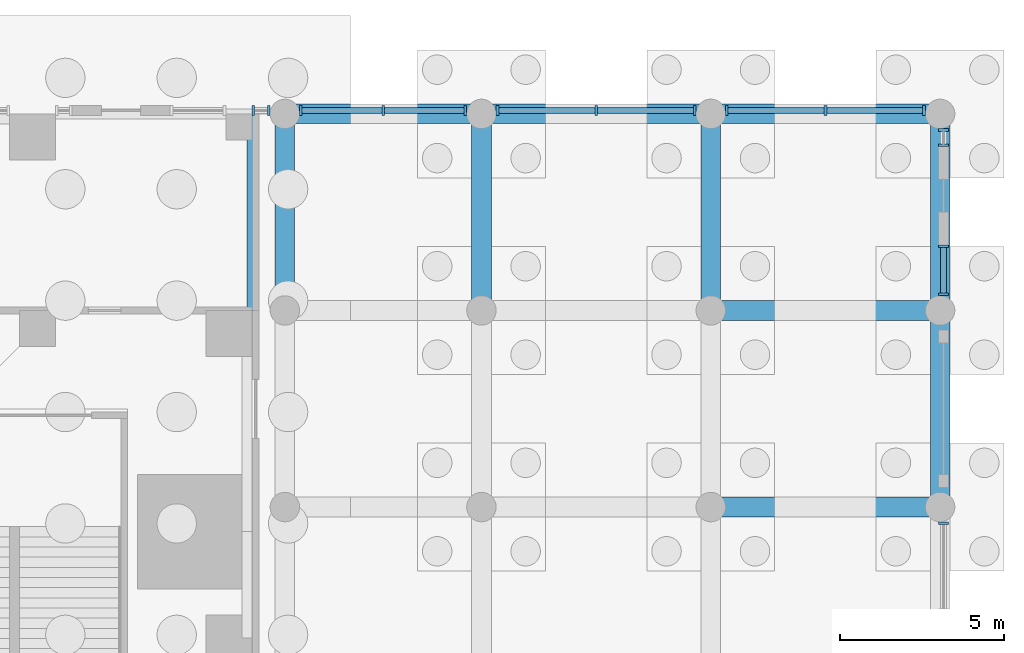
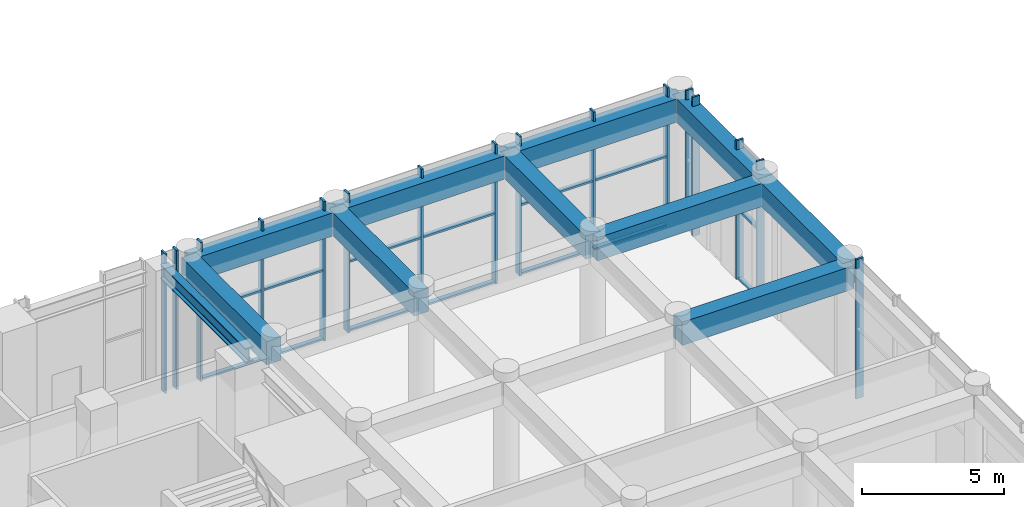
# One storey, part 10 of 46: 30 members, 11 beams, 7 elements without a shape of their own.
"""IFC4 building model written with IfcOpenShell, lengths in metres."""

import ifcopenshell
import ifcopenshell.guid

model = None  # the IFC model being written
_history = None  # IfcOwnerHistory: only IFC2X3 demands one
_inside = {}  # id of a spatial element -> (the spatial element, [elements in it])
_under = {}  # id of a project, library or spatial element -> (it, [spatial elements below it])
_declared = {}  # id of a project -> (the project, [libraries it declares])
_typed = {}  # id of a type object -> (the type object, [elements of that type])
_made_of = {}  # id of a material, layer set ... -> (it, [elements and type objects made of it])


def new_model(schema):
    """Start an empty IFC model of exactly this schema.

    Asked for "IFC4X3", IfcOpenShell would pick the latest addendum, in which some entities
    have other attributes; the version numbers below select the first issue.
    IFC2X3 requires an IfcOwnerHistory on every rooted entity: one is made here for all.
    """
    global model, _history
    if schema == "IFC4X3":
        model = ifcopenshell.file(schema_version=(4, 3, 0, 0))
    else:
        model = ifcopenshell.file(schema=schema)
    _inside.clear()
    _under.clear()
    _declared.clear()
    _typed.clear()
    _made_of.clear()
    _history = None
    if model.schema == "IFC2X3":
        org = make("IfcOrganization", Name="unknown")
        user = make(
            "IfcPersonAndOrganization",
            ThePerson=make("IfcPerson", FamilyName="unknown"),
            TheOrganization=org,
        )
        app = make(
            "IfcApplication",
            ApplicationDeveloper=org,
            Version="unknown",
            ApplicationFullName="unknown",
            ApplicationIdentifier="unknown",
        )
        _history = make(
            "IfcOwnerHistory",
            OwningUser=user,
            OwningApplication=app,
            ChangeAction="ADDED",
            CreationDate=0,
        )
    return model


def make(cls, **values):
    """One entity of the class cls with the attributes given. An attribute that is None is left unset."""
    return model.create_entity(
        cls, **{name: value for name, value in values.items() if value is not None}
    )


def rooted(cls, **values):
    """An entity with a GlobalId (a new one), such as an element, a storey or a relation."""
    return make(cls, GlobalId=ifcopenshell.guid.new(), OwnerHistory=_history, **values)


def si_unit(unit_type, name, prefix=None):
    """IfcSIUnit, for example si_unit("LENGTHUNIT", "METRE", prefix="MILLI")."""
    return make("IfcSIUnit", UnitType=unit_type, Prefix=prefix, Name=name)


def assignment(units):
    """IfcUnitAssignment: the units of a project."""
    return None if units is None else make("IfcUnitAssignment", Units=units)


def point(xyz):
    """IfcCartesianPoint."""
    return None if xyz is None else make("IfcCartesianPoint", Coordinates=xyz)


def direction(xyz):
    """IfcDirection."""
    return None if xyz is None else make("IfcDirection", DirectionRatios=xyz)


def frame(location, z_axis=None, x_axis=None):
    """IfcAxis2Placement3D, a coordinate frame: its origin and axes. An axis left out is left unset."""
    return make(
        "IfcAxis2Placement3D",
        Location=point(location),
        Axis=direction(z_axis),
        RefDirection=direction(x_axis),
    )


def frame_2d(location, x_axis=None):
    """IfcAxis2Placement2D, a coordinate frame in the plane: its origin and x axis."""
    return make(
        "IfcAxis2Placement2D", Location=point(location), RefDirection=direction(x_axis)
    )


def origin():
    """The frame at (0, 0, 0) with its axes left unset."""
    return frame((0.0, 0.0, 0.0))


def origin_2d():
    """The frame at (0, 0) in the plane with its x axis left unset."""
    return frame_2d((0.0, 0.0))


def place(relative_to, where):
    """IfcLocalPlacement: puts the frame where relative to a parent placement (None: the world)."""
    return make(
        "IfcLocalPlacement", PlacementRelTo=relative_to, RelativePlacement=where
    )


def context(
    kind, dimensions, precision=None, world=None, true_north=None, identifier=None
):
    """IfcGeometricRepresentationContext, for example the 3D "Model" context."""
    return make(
        "IfcGeometricRepresentationContext",
        ContextIdentifier=identifier,
        ContextType=kind,
        CoordinateSpaceDimension=dimensions,
        Precision=precision,
        WorldCoordinateSystem=world,
        TrueNorth=true_north,
    )


def subcontext(parent, identifier, kind, view, scale=None):
    """IfcGeometricRepresentationSubContext, for example "Body" below "Model"."""
    return make(
        "IfcGeometricRepresentationSubContext",
        ContextIdentifier=identifier,
        ContextType=kind,
        ParentContext=parent,
        TargetScale=scale,
        TargetView=view,
    )


def project(units=None, contexts=None):
    """IfcProject with its units and contexts."""
    return rooted(
        "IfcProject",
        Name="project",
        RepresentationContexts=contexts,
        UnitsInContext=assignment(units),
    )


def spatial(cls, under=None, at=None, **own):
    """A site, building, storey or space (cls), placed at a placement, below another one or the project."""
    s = rooted(cls, ObjectPlacement=at, **own)
    if under is not None:
        _under.setdefault(under.id(), (under, []))[1].append(s)
    return s


def profile(cls, at=None, kind="AREA", **sizes):
    """A parametric profile (cls). Its sizes go by their IFC names, for example OverallWidth=200.0."""
    return make(cls, ProfileType=kind, Position=at, **sizes)


def rectangle(**sizes):
    """IfcRectangleProfileDef."""
    return profile("IfcRectangleProfileDef", **sizes)


def i_section(**sizes):
    """IfcIShapeProfileDef."""
    return profile("IfcIShapeProfileDef", **sizes)


def extrude(swept, where, along, depth):
    """IfcExtrudedAreaSolid: the profile swept, set in the frame where, extruded along a direction by depth."""
    return make(
        "IfcExtrudedAreaSolid",
        SweptArea=swept,
        Position=where,
        ExtrudedDirection=direction(along),
        Depth=depth,
    )


def shape(context_of_items, identifier, shape_type, items):
    """IfcShapeRepresentation: the items that make up one representation, for example the "Body"."""
    return make(
        "IfcShapeRepresentation",
        ContextOfItems=context_of_items,
        RepresentationIdentifier=identifier,
        RepresentationType=shape_type,
        Items=items,
    )


def material(Name=None, Category=None):
    """IfcMaterial."""
    return make("IfcMaterial", Name=Name, Category=Category)


def material_profile(
    of_material, cross_section, Name=None, Category=None, Priority=None
):
    """IfcMaterialProfile: a cross section and its material."""
    return make(
        "IfcMaterialProfile",
        Name=Name,
        Material=of_material,
        Profile=cross_section,
        Priority=Priority,
        Category=Category,
    )


def profile_set(profiles, Name=None, composite=None):
    """IfcMaterialProfileSet."""
    return make(
        "IfcMaterialProfileSet",
        Name=Name,
        MaterialProfiles=profiles,
        CompositeProfile=composite,
    )


def made_of(thing, what):
    """Note that an element or type object is made of a material, layer set ...; save() writes the relation."""
    if what is not None:
        _made_of.setdefault(what.id(), (what, []))[1].append(thing)
    return thing


def type_object(cls, material=None, **own):
    """A type object (cls), such as IfcWallType, which elements share."""
    return made_of(rooted(cls, **own), material)


def element(
    cls,
    number,
    at=None,
    inside=None,
    cuts=None,
    type_object=None,
    material=None,
    context=None,
    identifier="Body",
    shape_type=None,
    held_by="IfcProductDefinitionShape",
    body=None,
    shapes=None,
    **own,
):
    """One element of the class cls, such as IfcWall. Its Tag is "e" and its number.

    at: its placement. inside: the storey or other place that contains it. cuts: it is an
    opening in that element (IfcRelVoidsElement). A single representation is given by context,
    identifier, shape_type and body (its items); several are given by shapes. held_by: the class
    of the entity that holds the representations. save() writes the other relations.
    """
    e = rooted(cls, Tag="e%d" % number, ObjectPlacement=at, **own)
    if body is not None:
        shapes = [shape(context, identifier, shape_type, body)]
    if shapes is not None:
        e.Representation = make(held_by, Representations=shapes)
    if inside is not None:
        _inside.setdefault(inside.id(), (inside, []))[1].append(e)
    if cuts is not None:
        rooted(
            "IfcRelVoidsElement", RelatingBuildingElement=cuts, RelatedOpeningElement=e
        )
    if type_object is not None:
        _typed.setdefault(type_object.id(), (type_object, []))[1].append(e)
    return made_of(e, material)


def aggregate(whole, parts):
    """IfcRelAggregates: a whole, such as a stair, and the parts it consists of."""
    return rooted("IfcRelAggregates", RelatingObject=whole, RelatedObjects=parts)


def save(model, path):
    """Write the relations noted so far, then the file.

    IfcRelAggregates (storeys below a building ...), IfcRelContainedInSpatialStructure (elements
    in a storey), IfcRelDefinesByType, IfcRelAssociatesMaterial and IfcRelDeclares: one each for
    every whole, place, type object, material and project.
    """
    for whole, parts in _under.values():
        aggregate(whole, parts)
    for where, things in _inside.values():
        rooted(
            "IfcRelContainedInSpatialStructure",
            RelatedElements=things,
            RelatingStructure=where,
        )
    for kind, things in _typed.values():
        rooted("IfcRelDefinesByType", RelatedObjects=things, RelatingType=kind)
    for what, things in _made_of.values():
        rooted("IfcRelAssociatesMaterial", RelatedObjects=things, RelatingMaterial=what)
    for by, libraries in _declared.values():
        rooted("IfcRelDeclares", RelatingContext=by, RelatedDefinitions=libraries)
    model.write(path)


model = new_model("IFC4")

# Units and contexts
model_context = context("Model", 3, precision=1e-05, world=origin(), true_north=direction((0.0, 1.0)))
body_context = subcontext(model_context, "Body", "Model", "MODEL_VIEW")
ifc_project = project(units=[si_unit("LENGTHUNIT", "METRE"), si_unit("AREAUNIT", "SQUARE_METRE"), si_unit("VOLUMEUNIT", "CUBIC_METRE"), si_unit("PLANEANGLEUNIT", "RADIAN"), si_unit("MASSUNIT", "GRAM", prefix="KILO")], contexts=[model_context])

# Site, building, storey
site_placement = place(None, origin())
site = spatial("IfcSite", under=ifc_project, at=site_placement, CompositionType="ELEMENT")
building_placement = place(site_placement, origin())
building = spatial("IfcBuilding", under=site, at=building_placement, Name="Svetlomir Tower", CompositionType="ELEMENT")
storey_placement = place(building_placement, origin())
storey = spatial("IfcBuildingStorey", under=building, at=storey_placement, Name="L00", CompositionType="ELEMENT", Elevation=0.0)

# Curtain wall, member
ifc_material_1 = material(Name="Bronze anodised aluminium curtain wall", Category="aluminium")
curtain_wall_type = type_object("IfcCurtainWallType", Name="CURTAIN WALL CW5 PODIUM", PredefinedType="NOTDEFINED", material=ifc_material_1)
curtain_wall_1_placement = place(storey_placement, origin())
curtain_wall_1 = element("IfcCurtainWall", 1, at=curtain_wall_1_placement, inside=storey, type_object=curtain_wall_type, Name="Curtain wall CW5 L00", PredefinedType="NOTDEFINED")
ifc_material_2 = material(Name="Bronze anodised aluminium", Category="aluminium")
ifc_material_profile_1 = material_profile(ifc_material_2, rectangle(XDim=0.080078125, YDim=0.300048828125, at=origin_2d()), Name="AL 80x300")
ifc_profile_set_1 = profile_set([ifc_material_profile_1], Name="Bronze anodised aluminium 6063-T6")
member_type_1 = type_object("IfcMemberType", Name="CW5 MULLION 80x300", PredefinedType="MULLION", material=ifc_profile_set_1)
member_1_placement = place(storey_placement, frame((63.10009765625, 29.510009765625, 0.0), z_axis=(0.0, 0.0, 1.0), x_axis=(0.0, 1.0, 0.0)))
member_1 = element("IfcMember", 2, at=member_1_placement, type_object=member_type_1, Name="CW5 mullion 4", PredefinedType="MULLION", context=body_context, shape_type="SweptSolid", body=[
    extrude(rectangle(XDim=0.080078125, YDim=0.300048828125, at=origin_2d()), origin(), (0.0, 0.0, 1.0), 6.0),
])
aggregate(curtain_wall_1, [member_1])

# Curtain wall, members
curtain_wall_2_placement = place(storey_placement, origin())
curtain_wall_2 = element("IfcCurtainWall", 3, at=curtain_wall_2_placement, inside=storey, type_object=curtain_wall_type, Name="Curtain wall CW5 L00", PredefinedType="NOTDEFINED")
member_2_placement = place(storey_placement, frame((63.10009765625, 36.489990234375, 0.0), z_axis=(0.0, 0.0, 1.0), x_axis=(0.0, 1.0, 0.0)))
member_2 = element("IfcMember", 4, at=member_2_placement, type_object=member_type_1, Name="CW5 mullion 1", PredefinedType="MULLION", context=body_context, shape_type="SweptSolid", body=[
    extrude(rectangle(XDim=0.080078125, YDim=0.300048828125, at=origin_2d()), origin(), (0.0, 0.0, 1.0), 6.0),
])
member_3_placement = place(storey_placement, frame((63.10009765625, 37.9599609375, 0.0), z_axis=(0.0, 0.0, 1.0), x_axis=(0.0, 1.0, 0.0)))
member_3 = element("IfcMember", 5, at=member_3_placement, type_object=member_type_1, Name="CW5 mullion 2", PredefinedType="MULLION", context=body_context, shape_type="SweptSolid", body=[
    extrude(rectangle(XDim=0.080078125, YDim=0.300048828125, at=origin_2d()), origin(), (0.0, 0.0, 1.0), 6.0),
])

curtain_wall_3_placement = place(storey_placement, origin())
curtain_wall_3 = element("IfcCurtainWall", 6, at=curtain_wall_3_placement, inside=storey, type_object=curtain_wall_type, Name="Curtain wall CW5 L00", PredefinedType="NOTDEFINED")
member_4_placement = place(storey_placement, frame((63.10009765625, 41.0400390625, 0.0), z_axis=(0.0, 0.0, 1.0), x_axis=(0.0, 1.0, 0.0)))
member_4 = element("IfcMember", 7, at=member_4_placement, type_object=member_type_1, Name="CW5 mullion 1", PredefinedType="MULLION", context=body_context, shape_type="SweptSolid", body=[
    extrude(rectangle(XDim=0.080078125, YDim=0.300048828125, at=origin_2d()), origin(), (0.0, 0.0, 1.0), 6.0),
])
member_5_placement = place(storey_placement, frame((63.10009765625, 41.510009765625, 0.0), z_axis=(0.0, 0.0, 1.0), x_axis=(0.0, 1.0, 0.0)))
member_5 = element("IfcMember", 8, at=member_5_placement, type_object=member_type_1, Name="CW5 mullion 2", PredefinedType="MULLION", context=body_context, shape_type="SweptSolid", body=[
    extrude(rectangle(XDim=0.080078125, YDim=0.300048828125, at=origin_2d()), origin(), (0.0, 0.0, 1.0), 6.0),
])
aggregate(curtain_wall_3, [member_4, member_5])

curtain_wall_4_placement = place(storey_placement, origin())
curtain_wall_4 = element("IfcCurtainWall", 9, at=curtain_wall_4_placement, inside=storey, type_object=curtain_wall_type, Name="Curtain wall CW5 L00", PredefinedType="NOTDEFINED")
member_6_placement = place(storey_placement, frame((62.510009765625, 42.10009765625, 0.0), z_axis=(0.0, 0.0, 1.0), x_axis=(-1.0, 0.0, 0.0)))
member_6 = element("IfcMember", 10, at=member_6_placement, type_object=member_type_1, Name="CW5 mullion 1", PredefinedType="MULLION", context=body_context, shape_type="SweptSolid", body=[
    extrude(rectangle(XDim=0.080078125, YDim=0.300048828125, at=origin_2d()), origin(), (0.0, 0.0, 1.0), 6.0),
])
member_7_placement = place(storey_placement, frame((59.5, 42.10009765625, 0.0), z_axis=(0.0, 0.0, 1.0), x_axis=(-1.0, 0.0, 0.0)))
member_7 = element("IfcMember", 11, at=member_7_placement, type_object=member_type_1, Name="CW5 mullion 2", PredefinedType="MULLION", context=body_context, shape_type="SweptSolid", body=[
    extrude(rectangle(XDim=0.080078125, YDim=0.300048828125, at=origin_2d()), origin(), (0.0, 0.0, 1.0), 6.0),
])
member_8_placement = place(storey_placement, frame((56.489990234375, 42.10009765625, 0.0), z_axis=(0.0, 0.0, 1.0), x_axis=(-1.0, 0.0, 0.0)))
member_8 = element("IfcMember", 12, at=member_8_placement, type_object=member_type_1, Name="CW5 mullion 3", PredefinedType="MULLION", context=body_context, shape_type="SweptSolid", body=[
    extrude(rectangle(XDim=0.080078125, YDim=0.300048828125, at=origin_2d()), origin(), (0.0, 0.0, 1.0), 6.0),
])

curtain_wall_5_placement = place(storey_placement, origin())
curtain_wall_5 = element("IfcCurtainWall", 13, at=curtain_wall_5_placement, inside=storey, type_object=curtain_wall_type, Name="Curtain wall CW5 L00", PredefinedType="NOTDEFINED")
member_9_placement = place(storey_placement, frame((55.510009765625, 42.10009765625, 0.0), z_axis=(0.0, 0.0, 1.0), x_axis=(-1.0, 0.0, 0.0)))
member_9 = element("IfcMember", 14, at=member_9_placement, type_object=member_type_1, Name="CW5 mullion 1", PredefinedType="MULLION", context=body_context, shape_type="SweptSolid", body=[
    extrude(rectangle(XDim=0.080078125, YDim=0.300048828125, at=origin_2d()), origin(), (0.0, 0.0, 1.0), 6.0),
])
member_10_placement = place(storey_placement, frame((52.5, 42.10009765625, 0.0), z_axis=(0.0, 0.0, 1.0), x_axis=(-1.0, 0.0, 0.0)))
member_10 = element("IfcMember", 15, at=member_10_placement, type_object=member_type_1, Name="CW5 mullion 2", PredefinedType="MULLION", context=body_context, shape_type="SweptSolid", body=[
    extrude(rectangle(XDim=0.080078125, YDim=0.300048828125, at=origin_2d()), origin(), (0.0, 0.0, 1.0), 6.0),
])
member_11_placement = place(storey_placement, frame((49.489990234375, 42.10009765625, 0.0), z_axis=(0.0, 0.0, 1.0), x_axis=(-1.0, 0.0, 0.0)))
member_11 = element("IfcMember", 16, at=member_11_placement, type_object=member_type_1, Name="CW5 mullion 3", PredefinedType="MULLION", context=body_context, shape_type="SweptSolid", body=[
    extrude(rectangle(XDim=0.080078125, YDim=0.300048828125, at=origin_2d()), origin(), (0.0, 0.0, 1.0), 6.0),
])

curtain_wall_6_placement = place(storey_placement, origin())
curtain_wall_6 = element("IfcCurtainWall", 17, at=curtain_wall_6_placement, inside=storey, type_object=curtain_wall_type, Name="Curtain wall CW5 L00", PredefinedType="NOTDEFINED")
member_12_placement = place(storey_placement, frame((48.510009765625, 42.10009765625, 0.0), z_axis=(0.0, 0.0, 1.0), x_axis=(-1.0, 0.0, 0.0)))
member_12 = element("IfcMember", 18, at=member_12_placement, type_object=member_type_1, Name="CW5 mullion 1", PredefinedType="MULLION", context=body_context, shape_type="SweptSolid", body=[
    extrude(rectangle(XDim=0.080078125, YDim=0.300048828125, at=origin_2d()), origin(), (0.0, 0.0, 1.0), 6.0),
])
member_13_placement = place(storey_placement, frame((46.0, 42.10009765625, 0.0), z_axis=(0.0, 0.0, 1.0), x_axis=(-1.0, 0.0, 0.0)))
member_13 = element("IfcMember", 19, at=member_13_placement, type_object=member_type_1, Name="CW5 mullion 2", PredefinedType="MULLION", context=body_context, shape_type="SweptSolid", body=[
    extrude(rectangle(XDim=0.080078125, YDim=0.300048828125, at=origin_2d()), origin(), (0.0, 0.0, 1.0), 6.0),
])
member_14_placement = place(storey_placement, frame((43.489990234375, 42.10009765625, 0.0), z_axis=(0.0, 0.0, 1.0), x_axis=(-1.0, 0.0, 0.0)))
member_14 = element("IfcMember", 20, at=member_14_placement, type_object=member_type_1, Name="CW5 mullion 3", PredefinedType="MULLION", context=body_context, shape_type="SweptSolid", body=[
    extrude(rectangle(XDim=0.080078125, YDim=0.300048828125, at=origin_2d()), origin(), (0.0, 0.0, 1.0), 6.0),
])

curtain_wall_7_placement = place(storey_placement, origin())
curtain_wall_7 = element("IfcCurtainWall", 21, at=curtain_wall_7_placement, inside=storey, type_object=curtain_wall_type, Name="Curtain wall CW5 L00", PredefinedType="NOTDEFINED")
member_15_placement = place(storey_placement, frame((42.510009765625, 42.10009765625, 0.0), z_axis=(0.0, 0.0, 1.0), x_axis=(-1.0, 0.0, 0.0)))
member_15 = element("IfcMember", 22, at=member_15_placement, type_object=member_type_1, Name="CW5 mullion 1", PredefinedType="MULLION", context=body_context, shape_type="SweptSolid", body=[
    extrude(rectangle(XDim=0.080078125, YDim=0.300048828125, at=origin_2d()), origin(), (0.0, 0.0, 1.0), 6.0),
])
member_16_placement = place(storey_placement, frame((42.0400390625, 42.10009765625, 0.0), z_axis=(0.0, 0.0, 1.0), x_axis=(-1.0, 0.0, 0.0)))
member_16 = element("IfcMember", 23, at=member_16_placement, type_object=member_type_1, Name="CW5 mullion 2", PredefinedType="MULLION", context=body_context, shape_type="SweptSolid", body=[
    extrude(rectangle(XDim=0.080078125, YDim=0.300048828125, at=origin_2d()), origin(), (0.0, 0.0, 1.0), 6.0),
])
aggregate(curtain_wall_7, [member_15, member_16])

# Member
ifc_material_3 = material(Name="Bronze anodised aluminium", Category="aluminium")
ifc_material_profile_2 = material_profile(ifc_material_3, rectangle(XDim=0.179931640625, YDim=0.080078125, at=origin_2d()), Name="AL 180x80")
ifc_profile_set_2 = profile_set([ifc_material_profile_2], Name="Bronze anodised aluminium 6063-T6")
member_type_2 = type_object("IfcMemberType", Name="CW5 TRANSOM 80x180", PredefinedType="USERDEFINED", material=ifc_profile_set_2)
member_17_placement = place(storey_placement, frame((63.10009765625, 36.530029296875, 0.0400390625), z_axis=(0.0, 1.0, 0.0), x_axis=(-1.0, 0.0, 0.0)))
member_17 = element("IfcMember", 24, at=member_17_placement, type_object=member_type_2, Name="CW5 transom 1.1", ObjectType="TRANSOM", PredefinedType="USERDEFINED", context=body_context, shape_type="SweptSolid", body=[
    extrude(rectangle(XDim=0.179931640625, YDim=0.080078125, at=origin_2d()), origin(), (0.0, 0.0, 1.0), 1.389892578125),
])

member_18_placement = place(storey_placement, frame((63.10009765625, 36.530029296875, 3.0), z_axis=(0.0, 1.0, 0.0), x_axis=(-1.0, 0.0, 0.0)))
member_18 = element("IfcMember", 25, at=member_18_placement, type_object=member_type_2, Name="CW5 transom 1.2", ObjectType="TRANSOM", PredefinedType="USERDEFINED", context=body_context, shape_type="SweptSolid", body=[
    extrude(rectangle(XDim=0.179931640625, YDim=0.080078125, at=origin_2d()), origin(), (0.0, 0.0, 1.0), 1.389892578125),
])

aggregate(curtain_wall_2, [member_2, member_3, member_17, member_18])

member_19_placement = place(storey_placement, frame((62.469970703125, 42.10009765625, 0.0400390625), z_axis=(-1.0, 0.0, 0.0), x_axis=(0.0, -1.0, 0.0)))
member_19 = element("IfcMember", 26, at=member_19_placement, type_object=member_type_2, Name="CW5 transom 1.1", ObjectType="TRANSOM", PredefinedType="USERDEFINED", context=body_context, shape_type="SweptSolid", body=[
    extrude(rectangle(XDim=0.179931640625, YDim=0.080078125, at=origin_2d()), origin(), (0.0, 0.0, 1.0), 2.929931640625),
])

member_20_placement = place(storey_placement, frame((62.469970703125, 42.10009765625, 3.0), z_axis=(-1.0, 0.0, 0.0), x_axis=(0.0, -1.0, 0.0)))
member_20 = element("IfcMember", 27, at=member_20_placement, type_object=member_type_2, Name="CW5 transom 1.2", ObjectType="TRANSOM", PredefinedType="USERDEFINED", context=body_context, shape_type="SweptSolid", body=[
    extrude(rectangle(XDim=0.179931640625, YDim=0.080078125, at=origin_2d()), origin(), (0.0, 0.0, 1.0), 2.929931640625),
])

member_21_placement = place(storey_placement, frame((59.4599609375, 42.10009765625, 0.0400390625), z_axis=(-1.0, 0.0, 0.0), x_axis=(0.0, -1.0, 0.0)))
member_21 = element("IfcMember", 28, at=member_21_placement, type_object=member_type_2, Name="CW5 transom 2.1", ObjectType="TRANSOM", PredefinedType="USERDEFINED", context=body_context, shape_type="SweptSolid", body=[
    extrude(rectangle(XDim=0.179931640625, YDim=0.080078125, at=origin_2d()), origin(), (0.0, 0.0, 1.0), 2.929931640625),
])

member_22_placement = place(storey_placement, frame((59.4599609375, 42.10009765625, 3.0), z_axis=(-1.0, 0.0, 0.0), x_axis=(0.0, -1.0, 0.0)))
member_22 = element("IfcMember", 29, at=member_22_placement, type_object=member_type_2, Name="CW5 transom 2.2", ObjectType="TRANSOM", PredefinedType="USERDEFINED", context=body_context, shape_type="SweptSolid", body=[
    extrude(rectangle(XDim=0.179931640625, YDim=0.080078125, at=origin_2d()), origin(), (0.0, 0.0, 1.0), 2.929931640625),
])

aggregate(curtain_wall_4, [member_6, member_7, member_8, member_19, member_20, member_21, member_22])

member_23_placement = place(storey_placement, frame((55.469970703125, 42.10009765625, 0.0400390625), z_axis=(-1.0, 0.0, 0.0), x_axis=(0.0, -1.0, 0.0)))
member_23 = element("IfcMember", 30, at=member_23_placement, type_object=member_type_2, Name="CW5 transom 1.1", ObjectType="TRANSOM", PredefinedType="USERDEFINED", context=body_context, shape_type="SweptSolid", body=[
    extrude(rectangle(XDim=0.179931640625, YDim=0.080078125, at=origin_2d()), origin(), (0.0, 0.0, 1.0), 2.929931640625),
])

member_24_placement = place(storey_placement, frame((55.469970703125, 42.10009765625, 3.0), z_axis=(-1.0, 0.0, 0.0), x_axis=(0.0, -1.0, 0.0)))
member_24 = element("IfcMember", 31, at=member_24_placement, type_object=member_type_2, Name="CW5 transom 1.2", ObjectType="TRANSOM", PredefinedType="USERDEFINED", context=body_context, shape_type="SweptSolid", body=[
    extrude(rectangle(XDim=0.179931640625, YDim=0.080078125, at=origin_2d()), origin(), (0.0, 0.0, 1.0), 2.929931640625),
])

member_25_placement = place(storey_placement, frame((52.4599609375, 42.10009765625, 0.0400390625), z_axis=(-1.0, 0.0, 0.0), x_axis=(0.0, -1.0, 0.0)))
member_25 = element("IfcMember", 32, at=member_25_placement, type_object=member_type_2, Name="CW5 transom 2.1", ObjectType="TRANSOM", PredefinedType="USERDEFINED", context=body_context, shape_type="SweptSolid", body=[
    extrude(rectangle(XDim=0.179931640625, YDim=0.080078125, at=origin_2d()), origin(), (0.0, 0.0, 1.0), 2.929931640625),
])

member_26_placement = place(storey_placement, frame((52.4599609375, 42.10009765625, 3.0), z_axis=(-1.0, 0.0, 0.0), x_axis=(0.0, -1.0, 0.0)))
member_26 = element("IfcMember", 33, at=member_26_placement, type_object=member_type_2, Name="CW5 transom 2.2", ObjectType="TRANSOM", PredefinedType="USERDEFINED", context=body_context, shape_type="SweptSolid", body=[
    extrude(rectangle(XDim=0.179931640625, YDim=0.080078125, at=origin_2d()), origin(), (0.0, 0.0, 1.0), 2.929931640625),
])

aggregate(curtain_wall_5, [member_9, member_10, member_11, member_23, member_24, member_25, member_26])

member_27_placement = place(storey_placement, frame((48.469970703125, 42.10009765625, 0.0400390625), z_axis=(-1.0, 0.0, 0.0), x_axis=(0.0, -1.0, 0.0)))
member_27 = element("IfcMember", 34, at=member_27_placement, type_object=member_type_2, Name="CW5 transom 1.1", ObjectType="TRANSOM", PredefinedType="USERDEFINED", context=body_context, shape_type="SweptSolid", body=[
    extrude(rectangle(XDim=0.179931640625, YDim=0.080078125, at=origin_2d()), origin(), (0.0, 0.0, 1.0), 2.429931640625),
])

member_28_placement = place(storey_placement, frame((48.469970703125, 42.10009765625, 3.0), z_axis=(-1.0, 0.0, 0.0), x_axis=(0.0, -1.0, 0.0)))
member_28 = element("IfcMember", 35, at=member_28_placement, type_object=member_type_2, Name="CW5 transom 1.2", ObjectType="TRANSOM", PredefinedType="USERDEFINED", context=body_context, shape_type="SweptSolid", body=[
    extrude(rectangle(XDim=0.179931640625, YDim=0.080078125, at=origin_2d()), origin(), (0.0, 0.0, 1.0), 2.429931640625),
])

member_29_placement = place(storey_placement, frame((45.9599609375, 42.10009765625, 0.0400390625), z_axis=(-1.0, 0.0, 0.0), x_axis=(0.0, -1.0, 0.0)))
member_29 = element("IfcMember", 36, at=member_29_placement, type_object=member_type_2, Name="CW5 transom 2.1", ObjectType="TRANSOM", PredefinedType="USERDEFINED", context=body_context, shape_type="SweptSolid", body=[
    extrude(rectangle(XDim=0.179931640625, YDim=0.080078125, at=origin_2d()), origin(), (0.0, 0.0, 1.0), 2.429931640625),
])

member_30_placement = place(storey_placement, frame((45.9599609375, 42.10009765625, 3.0), z_axis=(-1.0, 0.0, 0.0), x_axis=(0.0, -1.0, 0.0)))
member_30 = element("IfcMember", 37, at=member_30_placement, type_object=member_type_2, Name="CW5 transom 2.2", ObjectType="TRANSOM", PredefinedType="USERDEFINED", context=body_context, shape_type="SweptSolid", body=[
    extrude(rectangle(XDim=0.179931640625, YDim=0.080078125, at=origin_2d()), origin(), (0.0, 0.0, 1.0), 2.429931640625),
])

aggregate(curtain_wall_6, [member_12, member_13, member_14, member_27, member_28, member_29, member_30])

# Beams
ifc_material_4 = material(Name="Concrete C60/75", Category="concrete")
ifc_material_profile_3 = material_profile(ifc_material_4, rectangle(XDim=0.60009765625, YDim=1.0, at=origin_2d()), Name="RC 600x1000")
ifc_profile_set_3 = profile_set([ifc_material_profile_3], Name="Concrete C60/75")
beam_type_1 = type_object("IfcBeamType", Name="PODIUM BEAM RC 600x1000", PredefinedType="BEAM", material=ifc_profile_set_3)
for number, where, z_axis, x_axis, name in (
    (38, (43.0, 36.0, 5.10009765625), (0.0, 1.0, 0.0), (-1.0, 0.0, 0.0), "Podium beam 43/36 to 43/42 under L01"),
    (39, (43.0, 42.0, 5.10009765625), (1.0, 0.0, 0.0), (0.0, 1.0, 0.0), "Podium beam 43/42 to 49/42 under L01"),
    (40, (49.0, 36.0, 5.10009765625), (0.0, 1.0, 0.0), (-1.0, 0.0, 0.0), "Podium beam 49/36 to 49/42 under L01"),
):
    element("IfcBeam", number, at=place(storey_placement, frame(where, z_axis=z_axis, x_axis=x_axis)), inside=storey, type_object=beam_type_1, Name=name, PredefinedType="BEAM", context=body_context, shape_type="SweptSolid", body=[
        extrude(rectangle(XDim=0.60009765625, YDim=1.0, at=origin_2d()), origin(), (0.0, 0.0, 1.0), 6.0),
    ])
for number, where, z_axis, x_axis, name in (
    (41, (49.0, 42.0, 5.10009765625), (1.0, 0.0, 0.0), (0.0, 1.0, 0.0), "Podium beam 49/42 to 56/42 under L01"),
    (42, (56.0, 30.0, 5.10009765625), (1.0, 0.0, 0.0), (0.0, 1.0, 0.0), "Podium beam 56/30 to 63/30 under L01"),
):
    element("IfcBeam", number, at=place(storey_placement, frame(where, z_axis=z_axis, x_axis=x_axis)), inside=storey, type_object=beam_type_1, Name=name, PredefinedType="BEAM", context=body_context, shape_type="SweptSolid", body=[
        extrude(rectangle(XDim=0.60009765625, YDim=1.0, at=origin_2d()), origin(), (0.0, 0.0, 1.0), 7.0),
    ])
beam_1_placement = place(storey_placement, frame((56.0, 36.0, 5.10009765625), z_axis=(0.0, 1.0, 0.0), x_axis=(-1.0, 0.0, 0.0)))
element("IfcBeam", 43, at=beam_1_placement, inside=storey, type_object=beam_type_1, Name="Podium beam 56/36 to 56/42 under L01", PredefinedType="BEAM", context=body_context, shape_type="SweptSolid", body=[
    extrude(rectangle(XDim=0.60009765625, YDim=1.0, at=origin_2d()), origin(), (0.0, 0.0, 1.0), 6.0),
])
for number, where, z_axis, x_axis, name in (
    (44, (56.0, 36.0, 5.10009765625), (1.0, 0.0, 0.0), (0.0, 1.0, 0.0), "Podium beam 56/36 to 63/36 under L01"),
    (45, (56.0, 42.0, 5.10009765625), (1.0, 0.0, 0.0), (0.0, 1.0, 0.0), "Podium beam 56/42 to 63/42 under L01"),
):
    element("IfcBeam", number, at=place(storey_placement, frame(where, z_axis=z_axis, x_axis=x_axis)), inside=storey, type_object=beam_type_1, Name=name, PredefinedType="BEAM", context=body_context, shape_type="SweptSolid", body=[
        extrude(rectangle(XDim=0.60009765625, YDim=1.0, at=origin_2d()), origin(), (0.0, 0.0, 1.0), 7.0),
    ])
for number, where, z_axis, x_axis, name in (
    (46, (63.0, 30.0, 5.10009765625), (0.0, 1.0, 0.0), (-1.0, 0.0, 0.0), "Podium beam 63/30 to 63/36 under L01"),
    (47, (63.0, 36.0, 5.10009765625), (0.0, 1.0, 0.0), (-1.0, 0.0, 0.0), "Podium beam 63/36 to 63/42 under L01"),
):
    element("IfcBeam", number, at=place(storey_placement, frame(where, z_axis=z_axis, x_axis=x_axis)), inside=storey, type_object=beam_type_1, Name=name, PredefinedType="BEAM", context=body_context, shape_type="SweptSolid", body=[
        extrude(rectangle(XDim=0.60009765625, YDim=1.0, at=origin_2d()), origin(), (0.0, 0.0, 1.0), 6.0),
    ])
ifc_material_5 = material(Name="Steel S355", Category="steel")
ifc_material_profile_4 = material_profile(ifc_material_5, i_section(OverallWidth=0.304931640625, OverallDepth=0.6201171875, WebThickness=0.02099609375, FlangeThickness=0.0400390625, FilletRadius=0.027099609375, at=origin_2d()), Name="HEM 600")
ifc_profile_set_4 = profile_set([ifc_material_profile_4], Name="Steel S355")
beam_type_2 = type_object("IfcBeamType", Name="PODIUM EDGE BEAM HEM 600", PredefinedType="BEAM", material=ifc_profile_set_4)
beam_2_placement = place(storey_placement, frame((42.0, 36.0, 5.2900390625), z_axis=(0.0, 1.0, 0.0), x_axis=(-1.0, 0.0, 0.0)))
element("IfcBeam", 48, at=beam_2_placement, inside=storey, type_object=beam_type_2, Name="Podium beam 42/36 to 42/42 under L01", PredefinedType="BEAM", context=body_context, shape_type="SweptSolid", body=[
    extrude(i_section(OverallWidth=0.304931640625, OverallDepth=0.6201171875, WebThickness=0.02099609375, FlangeThickness=0.0400390625, FilletRadius=0.027099609375, at=origin_2d()), origin(), (0.0, 0.0, 1.0), 6.0),
])

save(model, "model.ifc")
